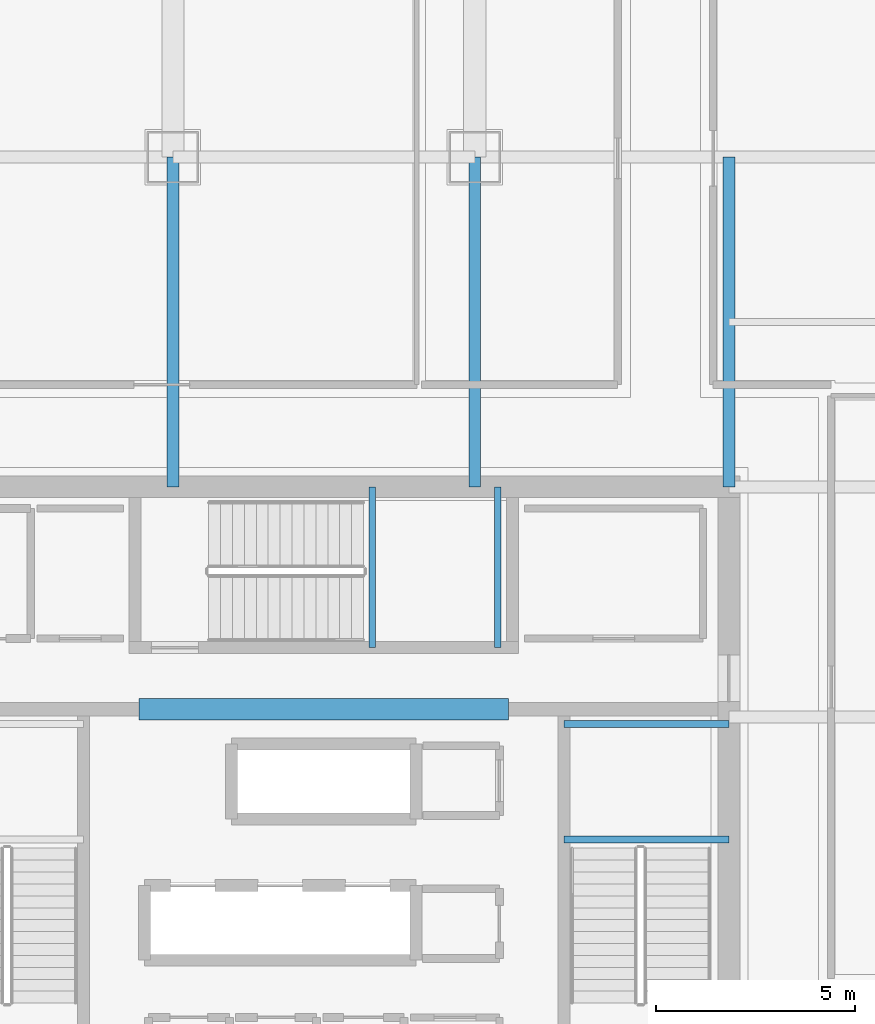
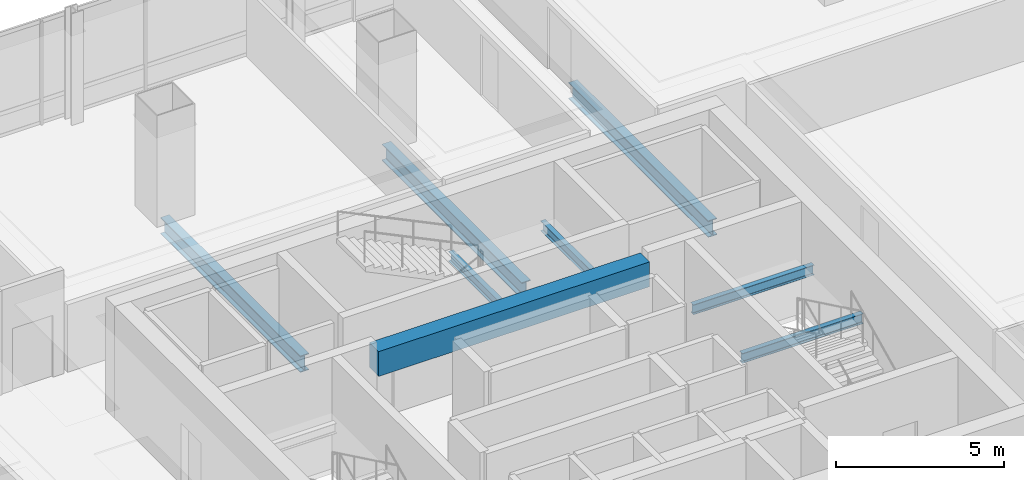
# One storey, part 13 of 51: 8 beams.
"""IFC4 building model written with IfcOpenShell, lengths in metres."""

from ifc_helpers import new_model, si_unit, direction, frame, origin, origin_2d, place, context, subcontext, project, spatial, rectangle, i_section, extrude, material, material_profile, profile_set, type_object, element, save


model = new_model("IFC4")

# Units and contexts
model_context = context("Model", 3, precision=1e-05, world=origin(), true_north=direction((0.0, 1.0)))
body_context = subcontext(model_context, "Body", "Model", "MODEL_VIEW")
ifc_project = project(units=[si_unit("LENGTHUNIT", "METRE"), si_unit("AREAUNIT", "SQUARE_METRE"), si_unit("VOLUMEUNIT", "CUBIC_METRE"), si_unit("PLANEANGLEUNIT", "RADIAN"), si_unit("MASSUNIT", "GRAM", prefix="KILO")], contexts=[model_context])

# Site, building, storey
site_placement = place(None, origin())
site = spatial("IfcSite", under=ifc_project, at=site_placement, CompositionType="ELEMENT")
building_placement = place(site_placement, origin())
building = spatial("IfcBuilding", under=site, at=building_placement, Name="Punatoya Terracotta Tower", CompositionType="ELEMENT")
storey_placement = place(building_placement, frame((0.0, 0.0, 279.75)))
storey = spatial("IfcBuildingStorey", under=building, at=storey_placement, Name="L66", CompositionType="ELEMENT", Elevation=279.75)

# Beams
ifc_material_1 = material(Name="Steel S355", Category="steel")
ifc_material_profile_1 = material_profile(ifc_material_1, i_section(OverallWidth=0.300048828125, OverallDepth=0.60009765625, WebThickness=0.015380859375, FlangeThickness=0.030029296875, FilletRadius=0.01806640625, at=origin_2d()))
ifc_profile_set_1 = profile_set([ifc_material_profile_1], Name="Steel S355")
beam_type_1 = type_object("IfcBeamType", Name="BM-PRI-600", PredefinedType="BEAM", material=ifc_profile_set_1)
for number, where, z_axis, x_axis, name in (
    (1, (-3.800048828125, 9.199951171875, -0.5), (0.0, 1.0, 0.0), (-1.0, 0.0, 0.0), "BM-L66-PR-N2"),
    (2, (3.800048828125, 9.199951171875, -0.5), (0.0, 1.0, 0.0), (-1.0, 0.0, 0.0), "BM-L66-PR-N3"),
    (3, (10.199951171875, 9.199951171875, -0.5), (0.0, 1.0, 0.0), (-1.0, 0.0, 0.0), "BM-L66-PR-N4"),
):
    element("IfcBeam", number, at=place(storey_placement, frame(where, z_axis=z_axis, x_axis=x_axis)), inside=storey, type_object=beam_type_1, Name=name, PredefinedType="BEAM", context=body_context, shape_type="SweptSolid", body=[
        extrude(i_section(OverallWidth=0.300048828125, OverallDepth=0.60009765625, WebThickness=0.015380859375, FlangeThickness=0.030029296875, FilletRadius=0.01806640625, at=origin_2d()), origin(), (0.0, 0.0, 1.0), 8.300048828125),
    ])
ifc_material_2 = material(Name="Concrete C50/60", Category="concrete")
ifc_material_profile_2 = material_profile(ifc_material_2, rectangle(XDim=0.550048828125, YDim=0.89990234375, at=origin_2d()))
ifc_profile_set_2 = profile_set([ifc_material_profile_2], Name="Concrete C50/60")
beam_type_2 = type_object("IfcBeamType", Name="BM-RC-900", PredefinedType="LINTEL", material=ifc_profile_set_2)
beam_placement = place(storey_placement, frame((-4.64990234375, 3.60009765625, 3.320068359375), z_axis=(1.0, 0.0, 0.0), x_axis=(0.0, 1.0, 0.0)))
element("IfcBeam", 4, at=beam_placement, inside=storey, type_object=beam_type_2, Name="L66 Core Coupling Lintel CNW", PredefinedType="LINTEL", context=body_context, shape_type="SweptSolid", body=[
    extrude(rectangle(XDim=0.550048828125, YDim=0.89990234375, at=origin_2d()), origin(), (0.0, 0.0, 1.0), 9.2998046875),
])
ifc_material_profile_3 = material_profile(ifc_material_1, i_section(OverallWidth=0.169921875, OverallDepth=0.360107421875, WebThickness=0.008056640625, FlangeThickness=0.0126953125, FilletRadius=0.01806640625, at=origin_2d()))
ifc_profile_set_3 = profile_set([ifc_material_profile_3], Name="Steel S355")
beam_type_3 = type_object("IfcBeamType", Name="BM-SEC-360", PredefinedType="JOIST", material=ifc_profile_set_3)
for number, where, z_axis, x_axis, name in (
    (5, (6.050048828125, 0.320068359375, 1.64501953125), (1.0, 0.0, 0.0), (0.0, 1.0, 0.0), "BM-L66-ST-2-LD1A"),
    (6, (6.050048828125, 3.22998046875, 1.64501953125), (1.0, 0.0, 0.0), (0.0, 1.0, 0.0), "BM-L66-ST-2-LD1B"),
):
    element("IfcBeam", number, at=place(storey_placement, frame(where, z_axis=z_axis, x_axis=x_axis)), inside=storey, type_object=beam_type_3, Name=name, PredefinedType="JOIST", context=body_context, shape_type="SweptSolid", body=[
        extrude(i_section(OverallWidth=0.169921875, OverallDepth=0.360107421875, WebThickness=0.008056640625, FlangeThickness=0.0126953125, FilletRadius=0.01806640625, at=origin_2d()), origin(), (0.0, 0.0, 1.0), 4.14990234375),
    ])
for number, where, z_axis, x_axis, name in (
    (7, (1.219970703125, 5.14990234375, 1.64501953125), (0.0, 1.0, 0.0), (-1.0, 0.0, 0.0), "BM-L66-ST-3-LD1A"),
    (8, (4.3798828125, 5.14990234375, 1.64501953125), (0.0, 1.0, 0.0), (-1.0, 0.0, 0.0), "BM-L66-ST-3-LD1B"),
):
    element("IfcBeam", number, at=place(storey_placement, frame(where, z_axis=z_axis, x_axis=x_axis)), inside=storey, type_object=beam_type_3, Name=name, PredefinedType="JOIST", context=body_context, shape_type="SweptSolid", body=[
        extrude(i_section(OverallWidth=0.169921875, OverallDepth=0.360107421875, WebThickness=0.008056640625, FlangeThickness=0.0126953125, FilletRadius=0.01806640625, at=origin_2d()), origin(), (0.0, 0.0, 1.0), 4.050048828125),
    ])

save(model, "model.ifc")
